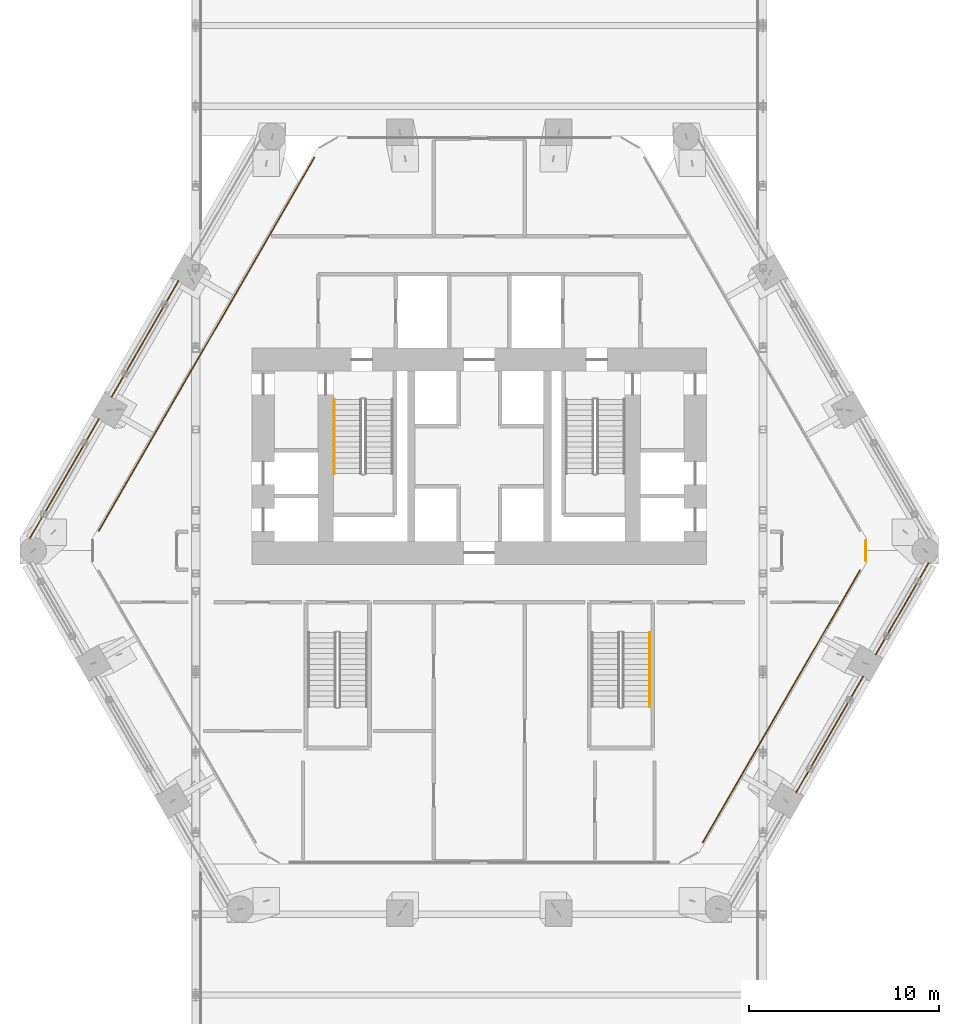
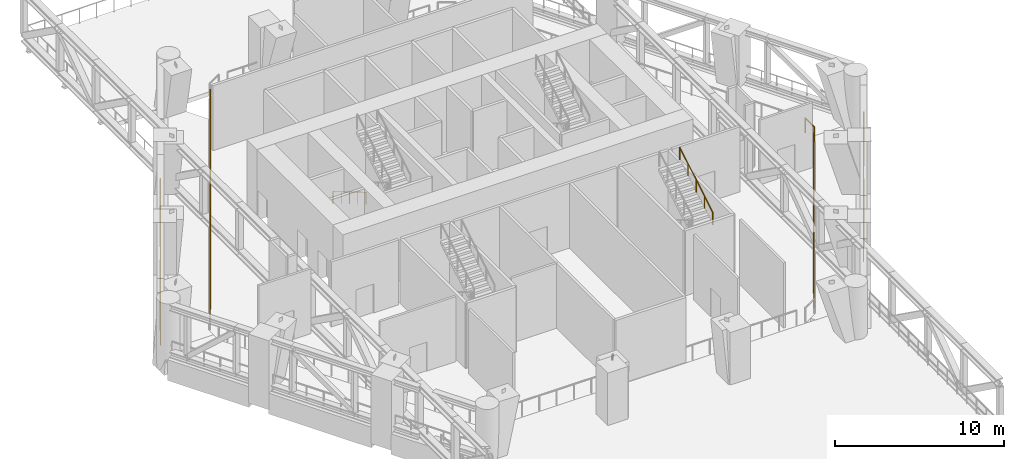
# One storey, part 18 of 20: 9 railings.
"""IFC4 building model written with IfcOpenShell, lengths in metres."""

from ifc_helpers import new_model, si_unit, direction, frame, origin, origin_2d, place, context, subcontext, project, spatial, circle, extrude, material, type_object, element, save


model = new_model("IFC4")

# Units and contexts
model_context = context("Model", 3, precision=1e-05, world=origin(), true_north=direction((0.0, 1.0)))
body_context = subcontext(model_context, "Body", "Model", "MODEL_VIEW")
ifc_project = project(units=[si_unit("LENGTHUNIT", "METRE"), si_unit("AREAUNIT", "SQUARE_METRE"), si_unit("VOLUMEUNIT", "CUBIC_METRE"), si_unit("PLANEANGLEUNIT", "RADIAN"), si_unit("MASSUNIT", "GRAM", prefix="KILO")], contexts=[model_context])

# Site, building, storey
site_placement = place(None, origin())
site = spatial("IfcSite", under=ifc_project, at=site_placement, CompositionType="ELEMENT")
building_placement = place(site_placement, origin())
building = spatial("IfcBuilding", under=site, at=building_placement, Name="Ostrander Bayou Hotel Tower", CompositionType="ELEMENT")
storey_placement = place(building_placement, frame((0.0, 0.0, 80.5)))
storey = spatial("IfcBuildingStorey", under=building, at=storey_placement, Name="L20", CompositionType="ELEMENT", Elevation=80.5)

# Railings
ifc_material_1 = material(Name="Stainless steel and clear glass", Category="steel")
railing_type_1 = type_object("IfcRailingType", Name="GR1 guard 1100 mm", PredefinedType="GUARDRAIL", material=ifc_material_1)
railing_1_placement = place(storey_placement, frame((-15.876708984375, 13.237060546875, 0.0)))
element("IfcRailing", 1, at=railing_1_placement, inside=storey, type_object=railing_type_1, Name="GR1 L20 NW-2 open band guard", PredefinedType="GUARDRAIL", context=body_context, shape_type="SweptSolid", body=[
    extrude(circle(Radius=0.02490234375, at=origin_2d()), frame((0.0, 0.0, 1.0751953125), z_axis=(-0.500012199891, -0.86601836006, 0.0), x_axis=(0.86601836006, -0.500012199891, 0.0)), (0.0, 0.0, 1.0), 7.050537109375),
    extrude(circle(Radius=0.02001953125, at=origin_2d()), origin(), (0.0, 0.0, 1.0), 1.050048828125),
    extrude(circle(Radius=0.02001953125, at=origin_2d()), frame((-0.587646484375, -1.017578125, 0.0)), (0.0, 0.0, 1.0), 1.050048828125),
    extrude(circle(Radius=0.02001953125, at=origin_2d()), frame((-1.175048828125, -2.035400390625, 0.0)), (0.0, 0.0, 1.0), 1.050048828125),
    extrude(circle(Radius=0.02001953125, at=origin_2d()), frame((-1.7626953125, -3.052978515625, 0.0)), (0.0, 0.0, 1.0), 1.050048828125),
    extrude(circle(Radius=0.02001953125, at=origin_2d()), frame((-2.350341796875, -4.070556640625, 0.0)), (0.0, 0.0, 1.0), 1.050048828125),
    extrude(circle(Radius=0.02001953125, at=origin_2d()), frame((-2.937744140625, -5.08837890625, 0.0)), (0.0, 0.0, 1.0), 1.050048828125),
    extrude(circle(Radius=0.02001953125, at=origin_2d()), frame((-3.525390625, -6.10595703125, 0.0)), (0.0, 0.0, 1.0), 1.050048828125),
])
railing_2_placement = place(storey_placement, frame((-20.072021484375, 5.970458984375, 0.0)))
element("IfcRailing", 2, at=railing_2_placement, inside=storey, type_object=railing_type_1, Name="GR1 L20 NW-3 open band guard", PredefinedType="GUARDRAIL", context=body_context, shape_type="SweptSolid", body=[
    extrude(circle(Radius=0.02490234375, at=origin_2d()), frame((0.0, 0.0, 1.0751953125), z_axis=(-0.50000343918, -0.866023418164, 0.0), x_axis=(0.866023418164, -0.50000343918, 0.0)), (0.0, 0.0, 1.0), 7.2705078125),
    extrude(circle(Radius=0.02001953125, at=origin_2d()), origin(), (0.0, 0.0, 1.0), 1.050048828125),
    extrude(circle(Radius=0.02001953125, at=origin_2d()), frame((-0.519287109375, -0.8994140625, 0.0)), (0.0, 0.0, 1.0), 1.050048828125),
    extrude(circle(Radius=0.02001953125, at=origin_2d()), frame((-1.03857421875, -1.799072265625, 0.0)), (0.0, 0.0, 1.0), 1.050048828125),
    extrude(circle(Radius=0.02001953125, at=origin_2d()), frame((-1.557861328125, -2.698486328125, 0.0)), (0.0, 0.0, 1.0), 1.050048828125),
    extrude(circle(Radius=0.02001953125, at=origin_2d()), frame((-2.077392578125, -3.597900390625, 0.0)), (0.0, 0.0, 1.0), 1.050048828125),
    extrude(circle(Radius=0.02001953125, at=origin_2d()), frame((-2.5966796875, -4.497314453125, 0.0)), (0.0, 0.0, 1.0), 1.050048828125),
    extrude(circle(Radius=0.02001953125, at=origin_2d()), frame((-3.115966796875, -5.39697265625, 0.0)), (0.0, 0.0, 1.0), 1.050048828125),
    extrude(circle(Radius=0.02001953125, at=origin_2d()), frame((-3.63525390625, -6.29638671875, 0.0)), (0.0, 0.0, 1.0), 1.050048828125),
])
railing_3_placement = place(storey_placement, frame((16.726806640625, -13.72802734375, 0.0)))
element("IfcRailing", 3, at=railing_3_placement, inside=storey, type_object=railing_type_1, Name="GR1 L20 SE-2 open band guard", PredefinedType="GUARDRAIL", context=body_context, shape_type="SweptSolid", body=[
    extrude(circle(Radius=0.02490234375, at=origin_2d()), frame((0.0, 0.0, 1.0751953125), z_axis=(0.499997206141, 0.866027016814, 0.0), x_axis=(-0.866027016814, 0.499997206141, 0.0)), (0.0, 0.0, 1.0), 7.05078125),
    extrude(circle(Radius=0.02001953125, at=origin_2d()), origin(), (0.0, 0.0, 1.0), 1.050048828125),
    extrude(circle(Radius=0.02001953125, at=origin_2d()), frame((0.587646484375, 1.017578125, 0.0)), (0.0, 0.0, 1.0), 1.050048828125),
    extrude(circle(Radius=0.02001953125, at=origin_2d()), frame((1.175048828125, 2.035400390625, 0.0)), (0.0, 0.0, 1.0), 1.050048828125),
    extrude(circle(Radius=0.02001953125, at=origin_2d()), frame((1.7626953125, 3.05322265625, 0.0)), (0.0, 0.0, 1.0), 1.050048828125),
    extrude(circle(Radius=0.02001953125, at=origin_2d()), frame((2.350341796875, 4.07080078125, 0.0)), (0.0, 0.0, 1.0), 1.050048828125),
    extrude(circle(Radius=0.02001953125, at=origin_2d()), frame((2.937744140625, 5.08837890625, 0.0)), (0.0, 0.0, 1.0), 1.050048828125),
    extrude(circle(Radius=0.02001953125, at=origin_2d()), frame((3.525390625, 6.106201171875, 0.0)), (0.0, 0.0, 1.0), 1.050048828125),
])
railing_4_placement = place(storey_placement, frame((20.92236328125, -6.46142578125, 0.0)))
element("IfcRailing", 4, at=railing_4_placement, inside=storey, type_object=railing_type_1, Name="GR1 L20 SE-3 open band guard", PredefinedType="GUARDRAIL", context=body_context, shape_type="SweptSolid", body=[
    extrude(circle(Radius=0.02490234375, at=origin_2d()), frame((0.0, 0.0, 1.0751953125), z_axis=(0.500009557824, 0.866019885502, 0.0), x_axis=(-0.866019885502, 0.500009557824, 0.0)), (0.0, 0.0, 1.0), 5.56982421875),
    extrude(circle(Radius=0.02001953125, at=origin_2d()), origin(), (0.0, 0.0, 1.0), 1.050048828125),
    extrude(circle(Radius=0.02001953125, at=origin_2d()), frame((0.556884765625, 0.964599609375, 0.0)), (0.0, 0.0, 1.0), 1.050048828125),
    extrude(circle(Radius=0.02001953125, at=origin_2d()), frame((1.114013671875, 1.929443359375, 0.0)), (0.0, 0.0, 1.0), 1.050048828125),
    extrude(circle(Radius=0.02001953125, at=origin_2d()), frame((1.6708984375, 2.89404296875, 0.0)), (0.0, 0.0, 1.0), 1.050048828125),
    extrude(circle(Radius=0.02001953125, at=origin_2d()), frame((2.22802734375, 3.85888671875, 0.0)), (0.0, 0.0, 1.0), 1.050048828125),
    extrude(circle(Radius=0.02001953125, at=origin_2d()), frame((2.784912109375, 4.823486328125, 0.0)), (0.0, 0.0, 1.0), 1.050048828125),
])
railing_5_placement = place(storey_placement, frame((20.40087890625, -1.514404296875, 0.0)))
element("IfcRailing", 5, at=railing_5_placement, inside=storey, type_object=railing_type_1, Name="GR1 L20 corner guard 5", PredefinedType="GUARDRAIL", context=body_context, shape_type="SweptSolid", body=[
    extrude(circle(Radius=0.02490234375, at=origin_2d()), frame((0.0, 0.0, 1.0751953125), z_axis=(0.0, 1.0, 0.0), x_axis=(-1.0, 0.0, 0.0)), (0.0, 0.0, 1.0), 1.06494140625),
    extrude(circle(Radius=0.02001953125, at=origin_2d()), origin(), (0.0, 0.0, 1.0), 1.050048828125),
    extrude(circle(Radius=0.02001953125, at=origin_2d()), frame((0.0, 1.06494140625, 0.0)), (0.0, 0.0, 1.0), 1.050048828125),
])
railing_6_placement = place(storey_placement, frame((20.079833984375, -2.0205078125, 0.0)))
element("IfcRailing", 6, at=railing_6_placement, inside=storey, type_object=railing_type_1, Name="GR1 L20 edge guard 3", PredefinedType="GUARDRAIL", context=body_context, shape_type="SweptSolid", body=[
    extrude(circle(Radius=0.02490234375, at=origin_2d()), frame((0.0, 0.0, 1.0751953125), z_axis=(-0.499996921781, -0.866027180988, 0.0), x_axis=(0.866027180988, -0.499996921781, 0.0)), (0.0, 0.0, 1.0), 16.580078125),
    extrude(circle(Radius=0.02001953125, at=origin_2d()), origin(), (0.0, 0.0, 1.0), 1.050048828125),
    extrude(circle(Radius=0.02001953125, at=origin_2d()), frame((-0.592041015625, -1.025634765625, 0.0)), (0.0, 0.0, 1.0), 1.050048828125),
    extrude(circle(Radius=0.02001953125, at=origin_2d()), frame((-1.184326171875, -2.05126953125, 0.0)), (0.0, 0.0, 1.0), 1.050048828125),
    extrude(circle(Radius=0.02001953125, at=origin_2d()), frame((-1.7763671875, -3.076904296875, 0.0)), (0.0, 0.0, 1.0), 1.050048828125),
    extrude(circle(Radius=0.02001953125, at=origin_2d()), frame((-2.36865234375, -4.1025390625, 0.0)), (0.0, 0.0, 1.0), 1.050048828125),
    extrude(circle(Radius=0.02001953125, at=origin_2d()), frame((-2.960693359375, -5.128173828125, 0.0)), (0.0, 0.0, 1.0), 1.050048828125),
    extrude(circle(Radius=0.02001953125, at=origin_2d()), frame((-3.552978515625, -6.15380859375, 0.0)), (0.0, 0.0, 1.0), 1.050048828125),
    extrude(circle(Radius=0.02001953125, at=origin_2d()), frame((-4.14501953125, -7.179443359375, 0.0)), (0.0, 0.0, 1.0), 1.050048828125),
    extrude(circle(Radius=0.02001953125, at=origin_2d()), frame((-4.737060546875, -8.205078125, 0.0)), (0.0, 0.0, 1.0), 1.050048828125),
    extrude(circle(Radius=0.02001953125, at=origin_2d()), frame((-5.329345703125, -9.230712890625, 0.0)), (0.0, 0.0, 1.0), 1.050048828125),
    extrude(circle(Radius=0.02001953125, at=origin_2d()), frame((-5.92138671875, -10.25634765625, 0.0)), (0.0, 0.0, 1.0), 1.050048828125),
    extrude(circle(Radius=0.02001953125, at=origin_2d()), frame((-6.513671875, -11.281982421875, 0.0)), (0.0, 0.0, 1.0), 1.050048828125),
    extrude(circle(Radius=0.02001953125, at=origin_2d()), frame((-7.105712890625, -12.3076171875, 0.0)), (0.0, 0.0, 1.0), 1.050048828125),
    extrude(circle(Radius=0.02001953125, at=origin_2d()), frame((-7.697998046875, -13.333251953125, 0.0)), (0.0, 0.0, 1.0), 1.050048828125),
    extrude(circle(Radius=0.02001953125, at=origin_2d()), frame((-8.2900390625, -14.35888671875, 0.0)), (0.0, 0.0, 1.0), 1.050048828125),
])
railing_7_placement = place(storey_placement, frame((-20.079833984375, 0.056884765625, 0.0)))
element("IfcRailing", 7, at=railing_7_placement, inside=storey, type_object=railing_type_1, Name="GR1 L20 edge guard 6", PredefinedType="GUARDRAIL", context=body_context, shape_type="SweptSolid", body=[
    extrude(circle(Radius=0.02490234375, at=origin_2d()), frame((0.0, 0.0, 1.0751953125), z_axis=(0.499997079687, 0.866027089822, 0.0), x_axis=(-0.866027089822, 0.499997079687, 0.0)), (0.0, 0.0, 1.0), 22.752685546875),
    extrude(circle(Radius=0.02001953125, at=origin_2d()), origin(), (0.0, 0.0, 1.0), 1.050048828125),
    extrude(circle(Radius=0.02001953125, at=origin_2d()), frame((0.5986328125, 1.037109375, 0.0)), (0.0, 0.0, 1.0), 1.050048828125),
    extrude(circle(Radius=0.02001953125, at=origin_2d()), frame((1.197509765625, 2.07421875, 0.0)), (0.0, 0.0, 1.0), 1.050048828125),
    extrude(circle(Radius=0.02001953125, at=origin_2d()), frame((1.796142578125, 3.111328125, 0.0)), (0.0, 0.0, 1.0), 1.050048828125),
    extrude(circle(Radius=0.02001953125, at=origin_2d()), frame((2.39501953125, 4.148193359375, 0.0)), (0.0, 0.0, 1.0), 1.050048828125),
    extrude(circle(Radius=0.02001953125, at=origin_2d()), frame((2.99365234375, 5.185302734375, 0.0)), (0.0, 0.0, 1.0), 1.050048828125),
    extrude(circle(Radius=0.02001953125, at=origin_2d()), frame((3.592529296875, 6.222412109375, 0.0)), (0.0, 0.0, 1.0), 1.050048828125),
    extrude(circle(Radius=0.02001953125, at=origin_2d()), frame((4.191162109375, 7.259521484375, 0.0)), (0.0, 0.0, 1.0), 1.050048828125),
    extrude(circle(Radius=0.02001953125, at=origin_2d()), frame((4.7900390625, 8.296630859375, 0.0)), (0.0, 0.0, 1.0), 1.050048828125),
    extrude(circle(Radius=0.02001953125, at=origin_2d()), frame((5.388671875, 9.333740234375, 0.0)), (0.0, 0.0, 1.0), 1.050048828125),
    extrude(circle(Radius=0.02001953125, at=origin_2d()), frame((5.987548828125, 10.37060546875, 0.0)), (0.0, 0.0, 1.0), 1.050048828125),
    extrude(circle(Radius=0.02001953125, at=origin_2d()), frame((6.586181640625, 11.40771484375, 0.0)), (0.0, 0.0, 1.0), 1.050048828125),
    extrude(circle(Radius=0.02001953125, at=origin_2d()), frame((7.18505859375, 12.44482421875, 0.0)), (0.0, 0.0, 1.0), 1.050048828125),
    extrude(circle(Radius=0.02001953125, at=origin_2d()), frame((7.78369140625, 13.48193359375, 0.0)), (0.0, 0.0, 1.0), 1.050048828125),
    extrude(circle(Radius=0.02001953125, at=origin_2d()), frame((8.382568359375, 14.51904296875, 0.0)), (0.0, 0.0, 1.0), 1.050048828125),
    extrude(circle(Radius=0.02001953125, at=origin_2d()), frame((8.981201171875, 15.55615234375, 0.0)), (0.0, 0.0, 1.0), 1.050048828125),
    extrude(circle(Radius=0.02001953125, at=origin_2d()), frame((9.580078125, 16.593017578125, 0.0)), (0.0, 0.0, 1.0), 1.050048828125),
    extrude(circle(Radius=0.02001953125, at=origin_2d()), frame((10.1787109375, 17.630126953125, 0.0)), (0.0, 0.0, 1.0), 1.050048828125),
    extrude(circle(Radius=0.02001953125, at=origin_2d()), frame((10.777587890625, 18.667236328125, 0.0)), (0.0, 0.0, 1.0), 1.050048828125),
    extrude(circle(Radius=0.02001953125, at=origin_2d()), frame((11.376220703125, 19.704345703125, 0.0)), (0.0, 0.0, 1.0), 1.050048828125),
])
ifc_material_2 = material(Name="Steel ASTM A500 Gr C", Category="steel")
railing_type_2 = type_object("IfcRailingType", Name="HR1 stair handrail 900 mm steel", PredefinedType="HANDRAIL", material=ifc_material_2)
railing_8_placement = place(storey_placement, frame((-7.64990234375, 7.0, 0.166748046875)))
element("IfcRailing", 8, at=railing_8_placement, inside=storey, type_object=railing_type_2, Name="L20 STA stair handrail 1", PredefinedType="HANDRAIL", context=body_context, shape_type="SweptSolid", body=[
    extrude(circle(Radius=0.02392578125, at=origin_2d()), frame((0.0, 0.0, 0.8759765625), z_axis=(0.0, -0.859296244711, 0.511478214419), x_axis=(1.0, 0.0, 0.0)), (0.0, 0.0, 1.0), 4.561767578125),
    extrude(circle(Radius=0.02099609375, at=origin_2d()), origin(), (0.0, 0.0, 1.0), 0.851806640625),
    extrude(circle(Radius=0.02099609375, at=origin_2d()), frame((0.0, -0.97998046875, 0.583251953125)), (0.0, 0.0, 1.0), 0.851806640625),
    extrude(circle(Radius=0.02099609375, at=origin_2d()), frame((0.0, -1.9599609375, 1.16650390625)), (0.0, 0.0, 1.0), 0.851806640625),
    extrude(circle(Radius=0.02099609375, at=origin_2d()), frame((0.0, -2.93994140625, 1.75)), (0.0, 0.0, 1.0), 0.851806640625),
    extrude(circle(Radius=0.02099609375, at=origin_2d()), frame((0.0, -3.919921875, 2.333251953125)), (0.0, 0.0, 1.0), 0.851806640625),
])
railing_9_placement = place(storey_placement, frame((9.0, -9.219970703125, 2.666748046875)))
element("IfcRailing", 9, at=railing_9_placement, inside=storey, type_object=railing_type_2, Name="L20 STC stair handrail 2", PredefinedType="HANDRAIL", context=body_context, shape_type="SweptSolid", body=[
    extrude(circle(Radius=0.02392578125, at=origin_2d()), frame((0.0, 0.0, 0.8759765625), z_axis=(0.0, 0.859296244711, 0.511478214419), x_axis=(-1.0, 0.0, 0.0)), (0.0, 0.0, 1.0), 4.561767578125),
    extrude(circle(Radius=0.02099609375, at=origin_2d()), origin(), (0.0, 0.0, 1.0), 0.851806640625),
    extrude(circle(Radius=0.02099609375, at=origin_2d()), frame((0.0, 0.97998046875, 0.583251953125)), (0.0, 0.0, 1.0), 0.851806640625),
    extrude(circle(Radius=0.02099609375, at=origin_2d()), frame((0.0, 1.9599609375, 1.16650390625)), (0.0, 0.0, 1.0), 0.851806640625),
    extrude(circle(Radius=0.02099609375, at=origin_2d()), frame((0.0, 2.93994140625, 1.75)), (0.0, 0.0, 1.0), 0.851806640625),
    extrude(circle(Radius=0.02099609375, at=origin_2d()), frame((0.0, 3.919921875, 2.333251953125)), (0.0, 0.0, 1.0), 0.851806640625),
])

save(model, "model.ifc")
